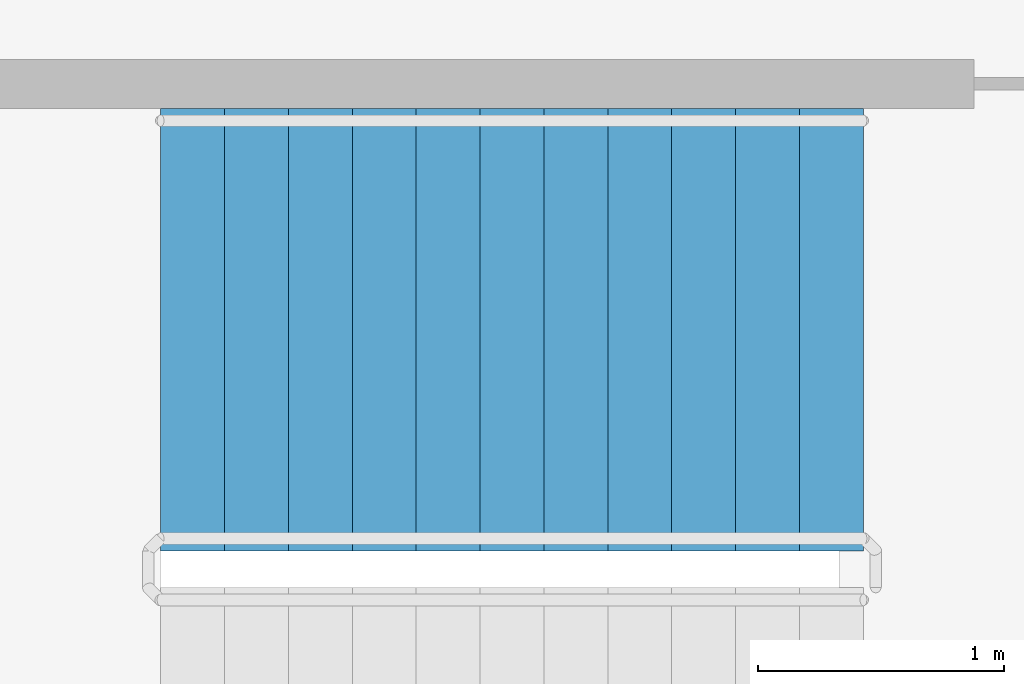
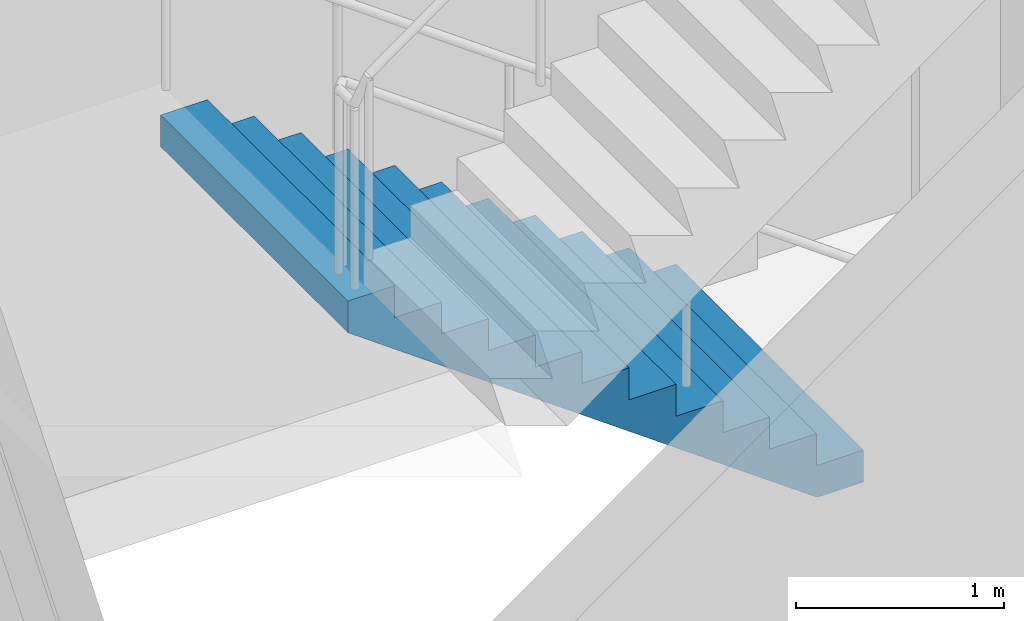
# One storey, part 43 of 49: 1 stair flight, 1 element without a shape of its own.
"""IFC4 building model written with IfcOpenShell, lengths in metres."""

import ifcopenshell
import ifcopenshell.guid

model = None  # the IFC model being written
_history = None  # IfcOwnerHistory: only IFC2X3 demands one
_inside = {}  # id of a spatial element -> (the spatial element, [elements in it])
_under = {}  # id of a project, library or spatial element -> (it, [spatial elements below it])
_declared = {}  # id of a project -> (the project, [libraries it declares])
_typed = {}  # id of a type object -> (the type object, [elements of that type])
_made_of = {}  # id of a material, layer set ... -> (it, [elements and type objects made of it])


def new_model(schema):
    """Start an empty IFC model of exactly this schema.

    Asked for "IFC4X3", IfcOpenShell would pick the latest addendum, in which some entities
    have other attributes; the version numbers below select the first issue.
    IFC2X3 requires an IfcOwnerHistory on every rooted entity: one is made here for all.
    """
    global model, _history
    if schema == "IFC4X3":
        model = ifcopenshell.file(schema_version=(4, 3, 0, 0))
    else:
        model = ifcopenshell.file(schema=schema)
    _inside.clear()
    _under.clear()
    _declared.clear()
    _typed.clear()
    _made_of.clear()
    _history = None
    if model.schema == "IFC2X3":
        org = make("IfcOrganization", Name="unknown")
        user = make(
            "IfcPersonAndOrganization",
            ThePerson=make("IfcPerson", FamilyName="unknown"),
            TheOrganization=org,
        )
        app = make(
            "IfcApplication",
            ApplicationDeveloper=org,
            Version="unknown",
            ApplicationFullName="unknown",
            ApplicationIdentifier="unknown",
        )
        _history = make(
            "IfcOwnerHistory",
            OwningUser=user,
            OwningApplication=app,
            ChangeAction="ADDED",
            CreationDate=0,
        )
    return model


def make(cls, **values):
    """One entity of the class cls with the attributes given. An attribute that is None is left unset."""
    return model.create_entity(
        cls, **{name: value for name, value in values.items() if value is not None}
    )


def rooted(cls, **values):
    """An entity with a GlobalId (a new one), such as an element, a storey or a relation."""
    return make(cls, GlobalId=ifcopenshell.guid.new(), OwnerHistory=_history, **values)


def si_unit(unit_type, name, prefix=None):
    """IfcSIUnit, for example si_unit("LENGTHUNIT", "METRE", prefix="MILLI")."""
    return make("IfcSIUnit", UnitType=unit_type, Prefix=prefix, Name=name)


def assignment(units):
    """IfcUnitAssignment: the units of a project."""
    return None if units is None else make("IfcUnitAssignment", Units=units)


def point(xyz):
    """IfcCartesianPoint."""
    return None if xyz is None else make("IfcCartesianPoint", Coordinates=xyz)


def direction(xyz):
    """IfcDirection."""
    return None if xyz is None else make("IfcDirection", DirectionRatios=xyz)


def frame(location, z_axis=None, x_axis=None):
    """IfcAxis2Placement3D, a coordinate frame: its origin and axes. An axis left out is left unset."""
    return make(
        "IfcAxis2Placement3D",
        Location=point(location),
        Axis=direction(z_axis),
        RefDirection=direction(x_axis),
    )


def origin():
    """The frame at (0, 0, 0) with its axes left unset."""
    return frame((0.0, 0.0, 0.0))


def place(relative_to, where):
    """IfcLocalPlacement: puts the frame where relative to a parent placement (None: the world)."""
    return make(
        "IfcLocalPlacement", PlacementRelTo=relative_to, RelativePlacement=where
    )


def context(
    kind, dimensions, precision=None, world=None, true_north=None, identifier=None
):
    """IfcGeometricRepresentationContext, for example the 3D "Model" context."""
    return make(
        "IfcGeometricRepresentationContext",
        ContextIdentifier=identifier,
        ContextType=kind,
        CoordinateSpaceDimension=dimensions,
        Precision=precision,
        WorldCoordinateSystem=world,
        TrueNorth=true_north,
    )


def subcontext(parent, identifier, kind, view, scale=None):
    """IfcGeometricRepresentationSubContext, for example "Body" below "Model"."""
    return make(
        "IfcGeometricRepresentationSubContext",
        ContextIdentifier=identifier,
        ContextType=kind,
        ParentContext=parent,
        TargetScale=scale,
        TargetView=view,
    )


def project(units=None, contexts=None):
    """IfcProject with its units and contexts."""
    return rooted(
        "IfcProject",
        Name="project",
        RepresentationContexts=contexts,
        UnitsInContext=assignment(units),
    )


def spatial(cls, under=None, at=None, **own):
    """A site, building, storey or space (cls), placed at a placement, below another one or the project."""
    s = rooted(cls, ObjectPlacement=at, **own)
    if under is not None:
        _under.setdefault(under.id(), (under, []))[1].append(s)
    return s


def faces_of(points, faces, orient=None, outer=None):
    """IfcFace entities. A face is a list of loops; a loop is a list of indices into points, from 0.

    orient and outer hold one flag for each loop. By default every Orientation is true, the
    first loop of a face is its IfcFaceOuterBound and the others are IfcFaceBound.
    """
    made = []
    for i, loops in enumerate(faces):
        bounds = []
        for j, loop in enumerate(loops):
            is_outer = j == 0 if outer is None else outer[i][j]
            bounds.append(
                make(
                    "IfcFaceOuterBound" if is_outer else "IfcFaceBound",
                    Bound=make("IfcPolyLoop", Polygon=[points[k] for k in loop]),
                    Orientation=True if orient is None else orient[i][j],
                )
            )
        made.append(make("IfcFace", Bounds=bounds))
    return made


def faceted_brep(points, faces, orient=None, outer=None, voids=None):
    """IfcFacetedBrep: a solid bounded by flat faces; with voids (closed shells), ...WithVoids."""
    shared = [point(p) for p in points]
    hull = make("IfcClosedShell", CfsFaces=faces_of(shared, faces, orient, outer))
    if voids is None:
        return make("IfcFacetedBrep", Outer=hull)
    return make(
        "IfcFacetedBrepWithVoids",
        Outer=hull,
        Voids=[
            make(cls, CfsFaces=faces_of(shared, fs, o, b)) for cls, fs, o, b in voids
        ],
    )


def shape(context_of_items, identifier, shape_type, items):
    """IfcShapeRepresentation: the items that make up one representation, for example the "Body"."""
    return make(
        "IfcShapeRepresentation",
        ContextOfItems=context_of_items,
        RepresentationIdentifier=identifier,
        RepresentationType=shape_type,
        Items=items,
    )


def material(Name=None, Category=None):
    """IfcMaterial."""
    return make("IfcMaterial", Name=Name, Category=Category)


def made_of(thing, what):
    """Note that an element or type object is made of a material, layer set ...; save() writes the relation."""
    if what is not None:
        _made_of.setdefault(what.id(), (what, []))[1].append(thing)
    return thing


def type_object(cls, material=None, **own):
    """A type object (cls), such as IfcWallType, which elements share."""
    return made_of(rooted(cls, **own), material)


def element(
    cls,
    number,
    at=None,
    inside=None,
    cuts=None,
    type_object=None,
    material=None,
    context=None,
    identifier="Body",
    shape_type=None,
    held_by="IfcProductDefinitionShape",
    body=None,
    shapes=None,
    **own,
):
    """One element of the class cls, such as IfcWall. Its Tag is "e" and its number.

    at: its placement. inside: the storey or other place that contains it. cuts: it is an
    opening in that element (IfcRelVoidsElement). A single representation is given by context,
    identifier, shape_type and body (its items); several are given by shapes. held_by: the class
    of the entity that holds the representations. save() writes the other relations.
    """
    e = rooted(cls, Tag="e%d" % number, ObjectPlacement=at, **own)
    if body is not None:
        shapes = [shape(context, identifier, shape_type, body)]
    if shapes is not None:
        e.Representation = make(held_by, Representations=shapes)
    if inside is not None:
        _inside.setdefault(inside.id(), (inside, []))[1].append(e)
    if cuts is not None:
        rooted(
            "IfcRelVoidsElement", RelatingBuildingElement=cuts, RelatedOpeningElement=e
        )
    if type_object is not None:
        _typed.setdefault(type_object.id(), (type_object, []))[1].append(e)
    return made_of(e, material)


def aggregate(whole, parts):
    """IfcRelAggregates: a whole, such as a stair, and the parts it consists of."""
    return rooted("IfcRelAggregates", RelatingObject=whole, RelatedObjects=parts)


def save(model, path):
    """Write the relations noted so far, then the file.

    IfcRelAggregates (storeys below a building ...), IfcRelContainedInSpatialStructure (elements
    in a storey), IfcRelDefinesByType, IfcRelAssociatesMaterial and IfcRelDeclares: one each for
    every whole, place, type object, material and project.
    """
    for whole, parts in _under.values():
        aggregate(whole, parts)
    for where, things in _inside.values():
        rooted(
            "IfcRelContainedInSpatialStructure",
            RelatedElements=things,
            RelatingStructure=where,
        )
    for kind, things in _typed.values():
        rooted("IfcRelDefinesByType", RelatedObjects=things, RelatingType=kind)
    for what, things in _made_of.values():
        rooted("IfcRelAssociatesMaterial", RelatedObjects=things, RelatingMaterial=what)
    for by, libraries in _declared.values():
        rooted("IfcRelDeclares", RelatingContext=by, RelatedDefinitions=libraries)
    model.write(path)


model = new_model("IFC4")

# Units and contexts
model_context = context("Model", 3, precision=1e-05, world=origin(), true_north=direction((0.0, 1.0)))
body_context = subcontext(model_context, "Body", "Model", "MODEL_VIEW")
ifc_project = project(units=[si_unit("LENGTHUNIT", "METRE"), si_unit("AREAUNIT", "SQUARE_METRE"), si_unit("VOLUMEUNIT", "CUBIC_METRE"), si_unit("PLANEANGLEUNIT", "RADIAN"), si_unit("MASSUNIT", "GRAM", prefix="KILO")], contexts=[model_context])

# Site, building, storey
site_placement = place(None, origin())
site = spatial("IfcSite", under=ifc_project, at=site_placement, CompositionType="ELEMENT")
building_placement = place(site_placement, origin())
building = spatial("IfcBuilding", under=site, at=building_placement, Name="Ipe Terrace Towers", CompositionType="ELEMENT")
storey_placement = place(building_placement, frame((0.0, 0.0, 11.0)))
storey = spatial("IfcBuildingStorey", under=building, at=storey_placement, Name="L02", CompositionType="ELEMENT", Elevation=11.0)

# Stair, stair flight
ifc_material_1 = material(Name="Concrete C30/37", Category="concrete")
stair_type = type_object("IfcStairType", Name="Protected exit stair", PredefinedType="HALF_TURN_STAIR", material=ifc_material_1)
stair_placement = place(storey_placement, origin())
stair = element("IfcStair", 1, at=stair_placement, inside=storey, type_object=stair_type, Name="L02 Podium exit stair PS3", PredefinedType="HALF_TURN_STAIR")
ifc_material_2 = material(Name="Concrete C30/37", Category="concrete")
stair_flight_type = type_object("IfcStairFlightType", Name="Exit stair flight 1800", PredefinedType="STRAIGHT", material=ifc_material_2)
stair_flight_placement = place(storey_placement, frame((52.77001953125, 25.5, 0.0), z_axis=(0.0, 0.0, 1.0), x_axis=(-1.0, 0.0, 0.0)))
stair_flight = element("IfcStairFlight", 2, at=stair_flight_placement, type_object=stair_flight_type, Name="PS3 flight 1", NumberOfRisers=12, NumberOfTreads=11, PredefinedType="STRAIGHT", RiserHeight=0.1875, TreadLength=0.26, context=body_context, shape_type="Brep", body=[
    faceted_brep([(0.25634765625, -0.89990234375, 0.0), (2.860107421875, -0.89990234375, 1.877685546875), (2.860107421875, -0.89990234375, 2.0625), (2.60009765625, -0.89990234375, 2.0625), (2.60009765625, -0.89990234375, 1.875), (2.340087890625, -0.89990234375, 1.875), (2.340087890625, -0.89990234375, 1.6875), (2.080078125, -0.89990234375, 1.6875), (2.080078125, -0.89990234375, 1.5), (1.820068359375, -0.89990234375, 1.5), (1.820068359375, -0.89990234375, 1.3125), (1.56005859375, -0.89990234375, 1.3125), (1.56005859375, -0.89990234375, 1.125), (1.300048828125, -0.89990234375, 1.125), (1.300048828125, -0.89990234375, 0.9375), (1.0400390625, -0.89990234375, 0.9375), (1.0400390625, -0.89990234375, 0.75), (0.780029296875, -0.89990234375, 0.75), (0.780029296875, -0.89990234375, 0.5625), (0.52001953125, -0.89990234375, 0.5625), (0.52001953125, -0.89990234375, 0.375), (0.260009765625, -0.89990234375, 0.375), (0.260009765625, -0.89990234375, 0.1875), (0.0, -0.89990234375, 0.1875), (0.0, -0.89990234375, 0.0), (0.0, 0.89990234375, 0.0), (0.0, 0.89990234375, 0.1875), (0.260009765625, 0.89990234375, 0.1875), (0.260009765625, 0.89990234375, 0.375), (0.52001953125, 0.89990234375, 0.375), (0.52001953125, 0.89990234375, 0.5625), (0.780029296875, 0.89990234375, 0.5625), (0.780029296875, 0.89990234375, 0.75), (1.0400390625, 0.89990234375, 0.75), (1.0400390625, 0.89990234375, 0.9375), (1.300048828125, 0.89990234375, 0.9375), (1.300048828125, 0.89990234375, 1.125), (1.56005859375, 0.89990234375, 1.125), (1.56005859375, 0.89990234375, 1.3125), (1.820068359375, 0.89990234375, 1.3125), (1.820068359375, 0.89990234375, 1.5), (2.080078125, 0.89990234375, 1.5), (2.080078125, 0.89990234375, 1.6875), (2.340087890625, 0.89990234375, 1.6875), (2.340087890625, 0.89990234375, 1.875), (2.60009765625, 0.89990234375, 1.875), (2.60009765625, 0.89990234375, 2.0625), (2.860107421875, 0.89990234375, 2.0625), (2.860107421875, 0.89990234375, 1.877685546875), (0.25634765625, 0.89990234375, 0.0), (0.0, -0.300048828125, 0.1875), (0.0, -0.1201171875, 0.1875), (0.0, -0.06005859375, 0.1875), (0.0, -0.030029296875, 0.1875), (0.0, -0.010009765625, 0.1875), (0.0, 0.0, 0.1875), (0.0, 0.010009765625, 0.1875), (0.0, 0.030029296875, 0.1875), (0.0, 0.06005859375, 0.1875), (0.0, 0.1201171875, 0.1875), (0.0, 0.300048828125, 0.1875), (0.0, 0.300048828125, 0.0), (0.0, 0.1201171875, 0.0), (0.0, 0.06005859375, 0.0), (0.0, 0.030029296875, 0.0), (0.0, 0.010009765625, 0.0), (0.0, 0.0, 0.0), (0.0, -0.010009765625, 0.0), (0.0, -0.030029296875, 0.0), (0.0, -0.06005859375, 0.0), (0.0, -0.1201171875, 0.0), (0.0, -0.300048828125, 0.0), (0.260009765625, -0.300048828125, 0.1875), (0.260009765625, -0.1201171875, 0.1875), (0.260009765625, -0.06005859375, 0.1875), (0.260009765625, -0.030029296875, 0.1875), (0.260009765625, -0.010009765625, 0.1875), (0.260009765625, 0.0, 0.1875), (0.260009765625, 0.010009765625, 0.1875), (0.260009765625, 0.030029296875, 0.1875), (0.260009765625, 0.06005859375, 0.1875), (0.260009765625, 0.1201171875, 0.1875), (0.260009765625, 0.300048828125, 0.1875), (0.260009765625, -0.300048828125, 0.375), (0.260009765625, -0.1201171875, 0.375), (0.260009765625, -0.06005859375, 0.375), (0.260009765625, -0.030029296875, 0.375), (0.260009765625, -0.010009765625, 0.375), (0.260009765625, 0.0, 0.375), (0.260009765625, 0.010009765625, 0.375), (0.260009765625, 0.030029296875, 0.375), (0.260009765625, 0.06005859375, 0.375), (0.260009765625, 0.1201171875, 0.375), (0.260009765625, 0.300048828125, 0.375), (0.52001953125, -0.300048828125, 0.375), (0.52001953125, -0.1201171875, 0.375), (0.52001953125, -0.06005859375, 0.375), (0.52001953125, -0.030029296875, 0.375), (0.52001953125, -0.010009765625, 0.375), (0.52001953125, 0.0, 0.375), (0.52001953125, 0.010009765625, 0.375), (0.52001953125, 0.030029296875, 0.375), (0.52001953125, 0.06005859375, 0.375), (0.52001953125, 0.1201171875, 0.375), (0.52001953125, 0.300048828125, 0.375), (0.52001953125, -0.300048828125, 0.5625), (0.52001953125, -0.1201171875, 0.5625), (0.52001953125, -0.06005859375, 0.5625), (0.52001953125, -0.030029296875, 0.5625), (0.52001953125, -0.010009765625, 0.5625), (0.52001953125, 0.0, 0.5625), (0.52001953125, 0.010009765625, 0.5625), (0.52001953125, 0.030029296875, 0.5625), (0.52001953125, 0.06005859375, 0.5625), (0.52001953125, 0.1201171875, 0.5625), (0.52001953125, 0.300048828125, 0.5625), (0.780029296875, -0.300048828125, 0.5625), (0.780029296875, -0.1201171875, 0.5625), (0.780029296875, -0.06005859375, 0.5625), (0.780029296875, -0.030029296875, 0.5625), (0.780029296875, -0.010009765625, 0.5625), (0.780029296875, 0.0, 0.5625), (0.780029296875, 0.010009765625, 0.5625), (0.780029296875, 0.030029296875, 0.5625), (0.780029296875, 0.06005859375, 0.5625), (0.780029296875, 0.1201171875, 0.5625), (0.780029296875, 0.300048828125, 0.5625), (0.780029296875, -0.300048828125, 0.75), (0.780029296875, -0.1201171875, 0.75), (0.780029296875, -0.06005859375, 0.75), (0.780029296875, -0.030029296875, 0.75), (0.780029296875, -0.010009765625, 0.75), (0.780029296875, 0.0, 0.75), (0.780029296875, 0.010009765625, 0.75), (0.780029296875, 0.030029296875, 0.75), (0.780029296875, 0.06005859375, 0.75), (0.780029296875, 0.1201171875, 0.75), (0.780029296875, 0.300048828125, 0.75), (1.0400390625, -0.300048828125, 0.75), (1.0400390625, -0.1201171875, 0.75), (1.0400390625, -0.06005859375, 0.75), (1.0400390625, -0.030029296875, 0.75), (1.0400390625, -0.010009765625, 0.75), (1.0400390625, 0.0, 0.75), (1.0400390625, 0.010009765625, 0.75), (1.0400390625, 0.030029296875, 0.75), (1.0400390625, 0.06005859375, 0.75), (1.0400390625, 0.1201171875, 0.75), (1.0400390625, 0.300048828125, 0.75), (1.0400390625, -0.300048828125, 0.9375), (1.0400390625, -0.1201171875, 0.9375), (1.0400390625, -0.06005859375, 0.9375), (1.0400390625, -0.030029296875, 0.9375), (1.0400390625, -0.010009765625, 0.9375), (1.0400390625, 0.0, 0.9375), (1.0400390625, 0.010009765625, 0.9375), (1.0400390625, 0.030029296875, 0.9375), (1.0400390625, 0.06005859375, 0.9375), (1.0400390625, 0.1201171875, 0.9375), (1.0400390625, 0.300048828125, 0.9375), (1.300048828125, -0.300048828125, 0.9375), (1.300048828125, -0.1201171875, 0.9375), (1.300048828125, -0.06005859375, 0.9375), (1.300048828125, -0.030029296875, 0.9375), (1.300048828125, -0.010009765625, 0.9375), (1.300048828125, 0.0, 0.9375), (1.300048828125, 0.010009765625, 0.9375), (1.300048828125, 0.030029296875, 0.9375), (1.300048828125, 0.06005859375, 0.9375), (1.300048828125, 0.1201171875, 0.9375), (1.300048828125, 0.300048828125, 0.9375), (1.300048828125, -0.300048828125, 1.125), (1.300048828125, -0.1201171875, 1.125), (1.300048828125, -0.06005859375, 1.125), (1.300048828125, -0.030029296875, 1.125), (1.300048828125, -0.010009765625, 1.125), (1.300048828125, 0.0, 1.125), (1.300048828125, 0.010009765625, 1.125), (1.300048828125, 0.030029296875, 1.125), (1.300048828125, 0.06005859375, 1.125), (1.300048828125, 0.1201171875, 1.125), (1.300048828125, 0.300048828125, 1.125), (1.56005859375, -0.300048828125, 1.125), (1.56005859375, -0.1201171875, 1.125), (1.56005859375, -0.06005859375, 1.125), (1.56005859375, -0.030029296875, 1.125), (1.56005859375, -0.010009765625, 1.125), (1.56005859375, 0.0, 1.125), (1.56005859375, 0.010009765625, 1.125), (1.56005859375, 0.030029296875, 1.125), (1.56005859375, 0.06005859375, 1.125), (1.56005859375, 0.1201171875, 1.125), (1.56005859375, 0.300048828125, 1.125), (1.56005859375, -0.300048828125, 1.3125), (1.56005859375, -0.1201171875, 1.3125), (1.56005859375, -0.06005859375, 1.3125), (1.56005859375, -0.030029296875, 1.3125), (1.56005859375, -0.010009765625, 1.3125), (1.56005859375, 0.0, 1.3125), (1.56005859375, 0.010009765625, 1.3125), (1.56005859375, 0.030029296875, 1.3125), (1.56005859375, 0.06005859375, 1.3125), (1.56005859375, 0.1201171875, 1.3125), (1.56005859375, 0.300048828125, 1.3125), (1.820068359375, -0.300048828125, 1.3125), (1.820068359375, -0.1201171875, 1.3125), (1.820068359375, -0.06005859375, 1.3125), (1.820068359375, -0.030029296875, 1.3125), (1.820068359375, -0.010009765625, 1.3125), (1.820068359375, 0.0, 1.3125), (1.820068359375, 0.010009765625, 1.3125), (1.820068359375, 0.030029296875, 1.3125), (1.820068359375, 0.06005859375, 1.3125), (1.820068359375, 0.1201171875, 1.3125), (1.820068359375, 0.300048828125, 1.3125), (1.820068359375, -0.300048828125, 1.5), (1.820068359375, -0.1201171875, 1.5), (1.820068359375, -0.06005859375, 1.5), (1.820068359375, -0.030029296875, 1.5), (1.820068359375, -0.010009765625, 1.5), (1.820068359375, 0.0, 1.5), (1.820068359375, 0.010009765625, 1.5), (1.820068359375, 0.030029296875, 1.5), (1.820068359375, 0.06005859375, 1.5), (1.820068359375, 0.1201171875, 1.5), (1.820068359375, 0.300048828125, 1.5), (2.080078125, -0.300048828125, 1.5), (2.080078125, -0.1201171875, 1.5), (2.080078125, -0.06005859375, 1.5), (2.080078125, -0.030029296875, 1.5), (2.080078125, -0.010009765625, 1.5), (2.080078125, 0.0, 1.5), (2.080078125, 0.010009765625, 1.5), (2.080078125, 0.030029296875, 1.5), (2.080078125, 0.06005859375, 1.5), (2.080078125, 0.1201171875, 1.5), (2.080078125, 0.300048828125, 1.5), (2.080078125, -0.300048828125, 1.6875), (2.080078125, -0.1201171875, 1.6875), (2.080078125, -0.06005859375, 1.6875), (2.080078125, -0.030029296875, 1.6875), (2.080078125, -0.010009765625, 1.6875), (2.080078125, 0.0, 1.6875), (2.080078125, 0.010009765625, 1.6875), (2.080078125, 0.030029296875, 1.6875), (2.080078125, 0.06005859375, 1.6875), (2.080078125, 0.1201171875, 1.6875), (2.080078125, 0.300048828125, 1.6875), (2.340087890625, -0.300048828125, 1.6875), (2.340087890625, -0.1201171875, 1.6875), (2.340087890625, -0.06005859375, 1.6875), (2.340087890625, -0.030029296875, 1.6875), (2.340087890625, -0.010009765625, 1.6875), (2.340087890625, 0.0, 1.6875), (2.340087890625, 0.010009765625, 1.6875), (2.340087890625, 0.030029296875, 1.6875), (2.340087890625, 0.06005859375, 1.6875), (2.340087890625, 0.1201171875, 1.6875), (2.340087890625, 0.300048828125, 1.6875), (2.340087890625, -0.300048828125, 1.875), (2.340087890625, -0.1201171875, 1.875), (2.340087890625, -0.06005859375, 1.875), (2.340087890625, -0.030029296875, 1.875), (2.340087890625, -0.010009765625, 1.875), (2.340087890625, 0.0, 1.875), (2.340087890625, 0.010009765625, 1.875), (2.340087890625, 0.030029296875, 1.875), (2.340087890625, 0.06005859375, 1.875), (2.340087890625, 0.1201171875, 1.875), (2.340087890625, 0.300048828125, 1.875), (2.60009765625, -0.300048828125, 1.875), (2.60009765625, -0.1201171875, 1.875), (2.60009765625, -0.06005859375, 1.875), (2.60009765625, -0.030029296875, 1.875), (2.60009765625, -0.010009765625, 1.875), (2.60009765625, 0.0, 1.875), (2.60009765625, 0.010009765625, 1.875), (2.60009765625, 0.030029296875, 1.875), (2.60009765625, 0.06005859375, 1.875), (2.60009765625, 0.1201171875, 1.875), (2.60009765625, 0.300048828125, 1.875), (2.60009765625, -0.300048828125, 2.0625), (2.60009765625, -0.1201171875, 2.0625), (2.60009765625, -0.06005859375, 2.0625), (2.60009765625, -0.030029296875, 2.0625), (2.60009765625, -0.010009765625, 2.0625), (2.60009765625, 0.0, 2.0625), (2.60009765625, 0.010009765625, 2.0625), (2.60009765625, 0.030029296875, 2.0625), (2.60009765625, 0.06005859375, 2.0625), (2.60009765625, 0.1201171875, 2.0625), (2.60009765625, 0.300048828125, 2.0625), (2.860107421875, -0.300048828125, 2.0625), (2.860107421875, -0.1201171875, 2.0625), (2.860107421875, -0.06005859375, 2.0625), (2.860107421875, -0.030029296875, 2.0625), (2.860107421875, -0.010009765625, 2.0625), (2.860107421875, 0.0, 2.0625), (2.860107421875, 0.010009765625, 2.0625), (2.860107421875, 0.030029296875, 2.0625), (2.860107421875, 0.06005859375, 2.0625), (2.860107421875, 0.1201171875, 2.0625), (2.860107421875, 0.300048828125, 2.0625), (2.860107421875, -0.300048828125, 1.877685546875), (2.860107421875, -0.1201171875, 1.877685546875), (2.860107421875, -0.06005859375, 1.877685546875), (2.860107421875, -0.030029296875, 1.877685546875), (2.860107421875, -0.010009765625, 1.877685546875), (2.860107421875, 0.0, 1.877685546875), (2.860107421875, 0.010009765625, 1.877685546875), (2.860107421875, 0.030029296875, 1.877685546875), (2.860107421875, 0.06005859375, 1.877685546875), (2.860107421875, 0.1201171875, 1.877685546875), (2.860107421875, 0.300048828125, 1.877685546875), (0.25634765625, -0.300048828125, 0.0), (0.25634765625, -0.1201171875, 0.0), (0.25634765625, -0.06005859375, 0.0), (0.25634765625, -0.030029296875, 0.0), (0.25634765625, -0.010009765625, 0.0), (0.25634765625, 0.0, 0.0), (0.25634765625, 0.010009765625, 0.0), (0.25634765625, 0.030029296875, 0.0), (0.25634765625, 0.06005859375, 0.0), (0.25634765625, 0.1201171875, 0.0), (0.25634765625, 0.300048828125, 0.0)], [[[0, 1, 2, 3, 4, 5, 6, 7, 8, 9, 10, 11, 12, 13, 14, 15, 16, 17, 18, 19, 20, 21, 22, 23, 24]], [[25, 26, 27, 28, 29, 30, 31, 32, 33, 34, 35, 36, 37, 38, 39, 40, 41, 42, 43, 44, 45, 46, 47, 48, 49]], [[23, 50, 51, 52, 53, 54, 55, 56, 57, 58, 59, 60, 26, 25, 61, 62, 63, 64, 65, 66, 67, 68, 69, 70, 71, 24]], [[22, 72, 73, 74, 75, 76, 77, 78, 79, 80, 81, 82, 27, 26, 60, 59, 58, 57, 56, 55, 54, 53, 52, 51, 50, 23]], [[21, 83, 84, 85, 86, 87, 88, 89, 90, 91, 92, 93, 28, 27, 82, 81, 80, 79, 78, 77, 76, 75, 74, 73, 72, 22]], [[20, 94, 95, 96, 97, 98, 99, 100, 101, 102, 103, 104, 29, 28, 93, 92, 91, 90, 89, 88, 87, 86, 85, 84, 83, 21]], [[19, 105, 106, 107, 108, 109, 110, 111, 112, 113, 114, 115, 30, 29, 104, 103, 102, 101, 100, 99, 98, 97, 96, 95, 94, 20]], [[18, 116, 117, 118, 119, 120, 121, 122, 123, 124, 125, 126, 31, 30, 115, 114, 113, 112, 111, 110, 109, 108, 107, 106, 105, 19]], [[17, 127, 128, 129, 130, 131, 132, 133, 134, 135, 136, 137, 32, 31, 126, 125, 124, 123, 122, 121, 120, 119, 118, 117, 116, 18]], [[16, 138, 139, 140, 141, 142, 143, 144, 145, 146, 147, 148, 33, 32, 137, 136, 135, 134, 133, 132, 131, 130, 129, 128, 127, 17]], [[15, 149, 150, 151, 152, 153, 154, 155, 156, 157, 158, 159, 34, 33, 148, 147, 146, 145, 144, 143, 142, 141, 140, 139, 138, 16]], [[14, 160, 161, 162, 163, 164, 165, 166, 167, 168, 169, 170, 35, 34, 159, 158, 157, 156, 155, 154, 153, 152, 151, 150, 149, 15]], [[13, 171, 172, 173, 174, 175, 176, 177, 178, 179, 180, 181, 36, 35, 170, 169, 168, 167, 166, 165, 164, 163, 162, 161, 160, 14]], [[12, 182, 183, 184, 185, 186, 187, 188, 189, 190, 191, 192, 37, 36, 181, 180, 179, 178, 177, 176, 175, 174, 173, 172, 171, 13]], [[11, 193, 194, 195, 196, 197, 198, 199, 200, 201, 202, 203, 38, 37, 192, 191, 190, 189, 188, 187, 186, 185, 184, 183, 182, 12]], [[10, 204, 205, 206, 207, 208, 209, 210, 211, 212, 213, 214, 39, 38, 203, 202, 201, 200, 199, 198, 197, 196, 195, 194, 193, 11]], [[9, 215, 216, 217, 218, 219, 220, 221, 222, 223, 224, 225, 40, 39, 214, 213, 212, 211, 210, 209, 208, 207, 206, 205, 204, 10]], [[8, 226, 227, 228, 229, 230, 231, 232, 233, 234, 235, 236, 41, 40, 225, 224, 223, 222, 221, 220, 219, 218, 217, 216, 215, 9]], [[7, 237, 238, 239, 240, 241, 242, 243, 244, 245, 246, 247, 42, 41, 236, 235, 234, 233, 232, 231, 230, 229, 228, 227, 226, 8]], [[6, 248, 249, 250, 251, 252, 253, 254, 255, 256, 257, 258, 43, 42, 247, 246, 245, 244, 243, 242, 241, 240, 239, 238, 237, 7]], [[5, 259, 260, 261, 262, 263, 264, 265, 266, 267, 268, 269, 44, 43, 258, 257, 256, 255, 254, 253, 252, 251, 250, 249, 248, 6]], [[4, 270, 271, 272, 273, 274, 275, 276, 277, 278, 279, 280, 45, 44, 269, 268, 267, 266, 265, 264, 263, 262, 261, 260, 259, 5]], [[3, 281, 282, 283, 284, 285, 286, 287, 288, 289, 290, 291, 46, 45, 280, 279, 278, 277, 276, 275, 274, 273, 272, 271, 270, 4]], [[2, 292, 293, 294, 295, 296, 297, 298, 299, 300, 301, 302, 47, 46, 291, 290, 289, 288, 287, 286, 285, 284, 283, 282, 281, 3]], [[1, 303, 304, 305, 306, 307, 308, 309, 310, 311, 312, 313, 48, 47, 302, 301, 300, 299, 298, 297, 296, 295, 294, 293, 292, 2]], [[0, 314, 315, 316, 317, 318, 319, 320, 321, 322, 323, 324, 49, 48, 313, 312, 311, 310, 309, 308, 307, 306, 305, 304, 303, 1]], [[24, 71, 70, 69, 68, 67, 66, 65, 64, 63, 62, 61, 25, 49, 324, 323, 322, 321, 320, 319, 318, 317, 316, 315, 314, 0]]]),
])
aggregate(stair, [stair_flight])

save(model, "model.ifc")
